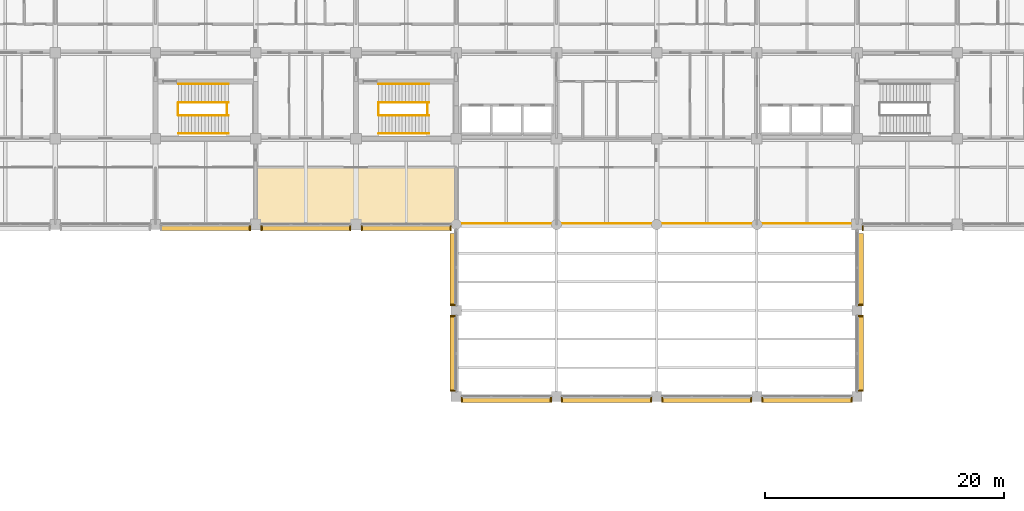
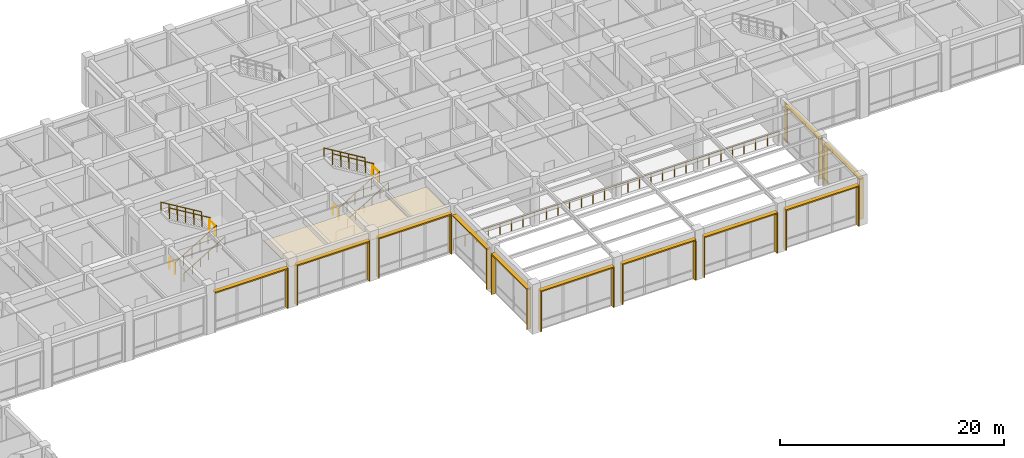
# One storey, part 53 of 58: 31 shading devices, 13 railings, 1 covering.
"""IFC4 building model written with IfcOpenShell, lengths in metres."""

from ifc_helpers import new_model, si_unit, direction, frame, origin, origin_2d, place, context, subcontext, project, spatial, polyline, rectangle, circle, outline, extrude, material, layer, layer_set, type_object, element, save


model = new_model("IFC4")

# Units and contexts
model_context = context("Model", 3, precision=1e-05, world=origin(), true_north=direction((0.0, 1.0)))
body_context = subcontext(model_context, "Body", "Model", "MODEL_VIEW")
ifc_project = project(units=[si_unit("LENGTHUNIT", "METRE"), si_unit("AREAUNIT", "SQUARE_METRE"), si_unit("VOLUMEUNIT", "CUBIC_METRE"), si_unit("PLANEANGLEUNIT", "RADIAN"), si_unit("MASSUNIT", "GRAM", prefix="KILO")], contexts=[model_context])

# Site, building, storey
site_placement = place(None, origin())
site = spatial("IfcSite", under=ifc_project, at=site_placement, CompositionType="ELEMENT")
building_placement = place(site_placement, origin())
building = spatial("IfcBuilding", under=site, at=building_placement, Name="Chengyuan Square Courthouse", CompositionType="ELEMENT")
storey_placement = place(building_placement, frame((0.0, 0.0, 16.199951171875)))
storey = spatial("IfcBuildingStorey", under=building, at=storey_placement, Name="L04", CompositionType="ELEMENT", Elevation=16.199951171875)

# Covering
ifc_material_1 = material(Name="Perforated Larch Glulam Acoustic Slat Ceiling", Category="wood")
ifc_layer = layer(ifc_material_1, 0.044921875)
ifc_layer_set = layer_set([ifc_layer], Name="Perforated Larch Glulam Acoustic Slat Ceiling")
covering_type = type_object("IfcCoveringType", Name="CLG-01", PredefinedType="CEILING", material=ifc_layer_set)
covering_placement = place(storey_placement, frame((0.0, 0.0, 4.02001953125)))
element("IfcCovering", 1, at=covering_placement, inside=storey, type_object=covering_type, Name="Acoustic Timber Slat Ceiling CLG-L04-CRT-405", PredefinedType="CEILING", context=body_context, shape_type="SweptSolid", body=[
    extrude(outline(polyline([(50.449951171875, 79.25), (67.14990234375, 79.25), (67.14990234375, 83.949951171875), (50.449951171875, 83.949951171875), (50.449951171875, 79.25)])), origin(), (0.0, 0.0, 1.0), 0.044921875),
])

# Railings
ifc_material_2 = material(Name="Tempered Glass and Timber Top-Rail Balustrade", Category="wood")
railing_type_1 = type_object("IfcRailingType", Name="RL-02", PredefinedType="BALUSTRADE", material=ifc_material_2)
for number, where, name in (
    (2, (60.68994140625, 88.39990234375, 0.0), "Stair Floor Slot Guard ST-3 L04"),
    (3, (64.7900390625, 88.39990234375, 2.699951171875), "Stair Landing Guard ST-3-L04"),
):
    element("IfcRailing", number, at=place(storey_placement, frame(where)), inside=storey, type_object=railing_type_1, Name=name, PredefinedType="BALUSTRADE", context=body_context, shape_type="SweptSolid", body=[
        extrude(circle(Radius=0.02392578125, at=origin_2d()), frame((0.0, 0.0, 1.17578125), z_axis=(0.0, 1.0, 0.0), x_axis=(-1.0, 0.0, 0.0)), (0.0, 0.0, 1.0), 1.0),
        extrude(circle(Radius=0.02099609375, at=origin_2d()), origin(), (0.0, 0.0, 1.0), 1.15185546875),
        extrude(circle(Radius=0.02099609375, at=origin_2d()), frame((0.0, 1.0, 0.0)), (0.0, 0.0, 1.0), 1.15185546875),
    ])
railing_1_placement = place(storey_placement, frame((60.7099609375, 88.35009765625, 0.168701171875)))
element("IfcRailing", 4, at=railing_1_placement, inside=storey, type_object=railing_type_1, Name="Stair Flight 1 Guard ST-3-L04", PredefinedType="BALUSTRADE", context=body_context, shape_type="SweptSolid", body=[
    extrude(circle(Radius=0.02392578125, at=origin_2d()), frame((0.0, 0.0, 1.17578125), z_axis=(0.856476492594, 0.0, 0.516186030065), x_axis=(0.0, 1.0, 0.0)), (0.0, 0.0, 1.0), 4.90380859375),
    extrude(circle(Radius=0.02099609375, at=origin_2d()), origin(), (0.0, 0.0, 1.0), 1.15185546875),
    extrude(circle(Radius=0.02099609375, at=origin_2d()), frame((0.840087890625, 0.0, 0.50634765625)), (0.0, 0.0, 1.0), 1.15185546875),
    extrude(circle(Radius=0.02099609375, at=origin_2d()), frame((1.679931640625, 0.0, 1.012451171875)), (0.0, 0.0, 1.0), 1.15185546875),
    extrude(circle(Radius=0.02099609375, at=origin_2d()), frame((2.52001953125, 0.0, 1.518798828125)), (0.0, 0.0, 1.0), 1.15185546875),
    extrude(circle(Radius=0.02099609375, at=origin_2d()), frame((3.35986328125, 0.0, 2.02490234375)), (0.0, 0.0, 1.0), 1.15185546875),
    extrude(circle(Radius=0.02099609375, at=origin_2d()), frame((4.199951171875, 0.0, 2.53125)), (0.0, 0.0, 1.0), 1.15185546875),
])
railing_2_placement = place(storey_placement, frame((64.909912109375, 89.449951171875, 2.86865234375)))
element("IfcRailing", 5, at=railing_2_placement, inside=storey, type_object=railing_type_1, Name="Stair Flight 2 Guard ST-3-L04", PredefinedType="BALUSTRADE", context=body_context, shape_type="SweptSolid", body=[
    extrude(circle(Radius=0.02392578125, at=origin_2d()), frame((0.0, 0.0, 1.17578125), z_axis=(-0.856454481726, 0.0, 0.516222549615), x_axis=(0.0, -1.0, 0.0)), (0.0, 0.0, 1.0), 4.90380859375),
    extrude(circle(Radius=0.02099609375, at=origin_2d()), origin(), (0.0, 0.0, 1.0), 1.15185546875),
    extrude(circle(Radius=0.02099609375, at=origin_2d()), frame((-0.840087890625, 0.0, 0.50634765625)), (0.0, 0.0, 1.0), 1.15185546875),
    extrude(circle(Radius=0.02099609375, at=origin_2d()), frame((-1.679931640625, 0.0, 1.0126953125)), (0.0, 0.0, 1.0), 1.15185546875),
    extrude(circle(Radius=0.02099609375, at=origin_2d()), frame((-2.52001953125, 0.0, 1.518798828125)), (0.0, 0.0, 1.0), 1.15185546875),
    extrude(circle(Radius=0.02099609375, at=origin_2d()), frame((-3.35986328125, 0.0, 2.025146484375)), (0.0, 0.0, 1.0), 1.15185546875),
    extrude(circle(Radius=0.02099609375, at=origin_2d()), frame((-4.199951171875, 0.0, 2.531494140625)), (0.0, 0.0, 1.0), 1.15185546875),
])
for number, where, name in (
    (6, (43.889892578125, 88.39990234375, 0.0), "Stair Floor Slot Guard ST-5 L04"),
    (7, (47.989990234375, 88.39990234375, 2.699951171875), "Stair Landing Guard ST-5-L04"),
):
    element("IfcRailing", number, at=place(storey_placement, frame(where)), inside=storey, type_object=railing_type_1, Name=name, PredefinedType="BALUSTRADE", context=body_context, shape_type="SweptSolid", body=[
        extrude(circle(Radius=0.02392578125, at=origin_2d()), frame((0.0, 0.0, 1.17578125), z_axis=(0.0, 1.0, 0.0), x_axis=(-1.0, 0.0, 0.0)), (0.0, 0.0, 1.0), 1.0),
        extrude(circle(Radius=0.02099609375, at=origin_2d()), origin(), (0.0, 0.0, 1.0), 1.15185546875),
        extrude(circle(Radius=0.02099609375, at=origin_2d()), frame((0.0, 1.0, 0.0)), (0.0, 0.0, 1.0), 1.15185546875),
    ])
railing_3_placement = place(storey_placement, frame((43.909912109375, 88.35009765625, 0.168701171875)))
element("IfcRailing", 8, at=railing_3_placement, inside=storey, type_object=railing_type_1, Name="Stair Flight 1 Guard ST-5-L04", PredefinedType="BALUSTRADE", context=body_context, shape_type="SweptSolid", body=[
    extrude(circle(Radius=0.02392578125, at=origin_2d()), frame((0.0, 0.0, 1.17578125), z_axis=(0.856489757249, 0.0, 0.516164020179), x_axis=(0.0, 1.0, 0.0)), (0.0, 0.0, 1.0), 4.904052734375),
    extrude(circle(Radius=0.02099609375, at=origin_2d()), origin(), (0.0, 0.0, 1.0), 1.15185546875),
    extrude(circle(Radius=0.02099609375, at=origin_2d()), frame((0.840087890625, 0.0, 0.50634765625)), (0.0, 0.0, 1.0), 1.15185546875),
    extrude(circle(Radius=0.02099609375, at=origin_2d()), frame((1.68017578125, 0.0, 1.012451171875)), (0.0, 0.0, 1.0), 1.15185546875),
    extrude(circle(Radius=0.02099609375, at=origin_2d()), frame((2.52001953125, 0.0, 1.518798828125)), (0.0, 0.0, 1.0), 1.15185546875),
    extrude(circle(Radius=0.02099609375, at=origin_2d()), frame((3.360107421875, 0.0, 2.02490234375)), (0.0, 0.0, 1.0), 1.15185546875),
    extrude(circle(Radius=0.02099609375, at=origin_2d()), frame((4.2001953125, 0.0, 2.53125)), (0.0, 0.0, 1.0), 1.15185546875),
])
railing_4_placement = place(storey_placement, frame((48.110107421875, 89.449951171875, 2.86865234375)))
element("IfcRailing", 9, at=railing_4_placement, inside=storey, type_object=railing_type_1, Name="Stair Flight 2 Guard ST-5-L04", PredefinedType="BALUSTRADE", context=body_context, shape_type="SweptSolid", body=[
    extrude(circle(Radius=0.02392578125, at=origin_2d()), frame((0.0, 0.0, 1.17578125), z_axis=(-0.856467747918, 0.0, 0.516200539303), x_axis=(0.0, -1.0, 0.0)), (0.0, 0.0, 1.0), 4.904052734375),
    extrude(circle(Radius=0.02099609375, at=origin_2d()), origin(), (0.0, 0.0, 1.0), 1.15185546875),
    extrude(circle(Radius=0.02099609375, at=origin_2d()), frame((-0.840087890625, 0.0, 0.50634765625)), (0.0, 0.0, 1.0), 1.15185546875),
    extrude(circle(Radius=0.02099609375, at=origin_2d()), frame((-1.68017578125, 0.0, 1.0126953125)), (0.0, 0.0, 1.0), 1.15185546875),
    extrude(circle(Radius=0.02099609375, at=origin_2d()), frame((-2.52001953125, 0.0, 1.518798828125)), (0.0, 0.0, 1.0), 1.15185546875),
    extrude(circle(Radius=0.02099609375, at=origin_2d()), frame((-3.360107421875, 0.0, 2.025146484375)), (0.0, 0.0, 1.0), 1.15185546875),
    extrude(circle(Radius=0.02099609375, at=origin_2d()), frame((-4.2001953125, 0.0, 2.531494140625)), (0.0, 0.0, 1.0), 1.15185546875),
])
railing_5_placement = place(storey_placement, frame((67.25, 79.280029296875, 0.0)))
element("IfcRailing", 10, at=railing_5_placement, inside=storey, type_object=railing_type_1, Name="Wintergarden Atrium Overlook Balustrade L04", PredefinedType="BALUSTRADE", context=body_context, shape_type="SweptSolid", body=[
    extrude(circle(Radius=0.02392578125, at=origin_2d()), frame((0.0, 0.0, 1.17578125), z_axis=(1.0, 0.0, 0.0), x_axis=(0.0, 1.0, 0.0)), (0.0, 0.0, 1.0), 33.5),
    extrude(circle(Radius=0.02099609375, at=origin_2d()), origin(), (0.0, 0.0, 1.0), 1.15185546875),
    extrude(circle(Radius=0.02099609375, at=origin_2d()), frame((1.196533203125, 0.0, 0.0)), (0.0, 0.0, 1.0), 1.15185546875),
    extrude(circle(Radius=0.02099609375, at=origin_2d()), frame((2.392822265625, 0.0, 0.0)), (0.0, 0.0, 1.0), 1.15185546875),
    extrude(circle(Radius=0.02099609375, at=origin_2d()), frame((3.58935546875, 0.0, 0.0)), (0.0, 0.0, 1.0), 1.15185546875),
    extrude(circle(Radius=0.02099609375, at=origin_2d()), frame((4.78564453125, 0.0, 0.0)), (0.0, 0.0, 1.0), 1.15185546875),
    extrude(circle(Radius=0.02099609375, at=origin_2d()), frame((5.982177734375, 0.0, 0.0)), (0.0, 0.0, 1.0), 1.15185546875),
    extrude(circle(Radius=0.02099609375, at=origin_2d()), frame((7.178466796875, 0.0, 0.0)), (0.0, 0.0, 1.0), 1.15185546875),
    extrude(circle(Radius=0.02099609375, at=origin_2d()), frame((8.375, 0.0, 0.0)), (0.0, 0.0, 1.0), 1.15185546875),
    extrude(circle(Radius=0.02099609375, at=origin_2d()), frame((9.571533203125, 0.0, 0.0)), (0.0, 0.0, 1.0), 1.15185546875),
    extrude(circle(Radius=0.02099609375, at=origin_2d()), frame((10.767822265625, 0.0, 0.0)), (0.0, 0.0, 1.0), 1.15185546875),
    extrude(circle(Radius=0.02099609375, at=origin_2d()), frame((11.96435546875, 0.0, 0.0)), (0.0, 0.0, 1.0), 1.15185546875),
    extrude(circle(Radius=0.02099609375, at=origin_2d()), frame((13.16064453125, 0.0, 0.0)), (0.0, 0.0, 1.0), 1.15185546875),
    extrude(circle(Radius=0.02099609375, at=origin_2d()), frame((14.357177734375, 0.0, 0.0)), (0.0, 0.0, 1.0), 1.15185546875),
    extrude(circle(Radius=0.02099609375, at=origin_2d()), frame((15.553466796875, 0.0, 0.0)), (0.0, 0.0, 1.0), 1.15185546875),
    extrude(circle(Radius=0.02099609375, at=origin_2d()), frame((16.75, 0.0, 0.0)), (0.0, 0.0, 1.0), 1.15185546875),
    extrude(circle(Radius=0.02099609375, at=origin_2d()), frame((17.946533203125, 0.0, 0.0)), (0.0, 0.0, 1.0), 1.15185546875),
    extrude(circle(Radius=0.02099609375, at=origin_2d()), frame((19.142822265625, 0.0, 0.0)), (0.0, 0.0, 1.0), 1.15185546875),
    extrude(circle(Radius=0.02099609375, at=origin_2d()), frame((20.33935546875, 0.0, 0.0)), (0.0, 0.0, 1.0), 1.15185546875),
    extrude(circle(Radius=0.02099609375, at=origin_2d()), frame((21.53564453125, 0.0, 0.0)), (0.0, 0.0, 1.0), 1.15185546875),
    extrude(circle(Radius=0.02099609375, at=origin_2d()), frame((22.732177734375, 0.0, 0.0)), (0.0, 0.0, 1.0), 1.15185546875),
    extrude(circle(Radius=0.02099609375, at=origin_2d()), frame((23.928466796875, 0.0, 0.0)), (0.0, 0.0, 1.0), 1.15185546875),
    extrude(circle(Radius=0.02099609375, at=origin_2d()), frame((25.125, 0.0, 0.0)), (0.0, 0.0, 1.0), 1.15185546875),
    extrude(circle(Radius=0.02099609375, at=origin_2d()), frame((26.321533203125, 0.0, 0.0)), (0.0, 0.0, 1.0), 1.15185546875),
    extrude(circle(Radius=0.02099609375, at=origin_2d()), frame((27.517822265625, 0.0, 0.0)), (0.0, 0.0, 1.0), 1.15185546875),
    extrude(circle(Radius=0.02099609375, at=origin_2d()), frame((28.71435546875, 0.0, 0.0)), (0.0, 0.0, 1.0), 1.15185546875),
    extrude(circle(Radius=0.02099609375, at=origin_2d()), frame((29.91064453125, 0.0, 0.0)), (0.0, 0.0, 1.0), 1.15185546875),
    extrude(circle(Radius=0.02099609375, at=origin_2d()), frame((31.107177734375, 0.0, 0.0)), (0.0, 0.0, 1.0), 1.15185546875),
    extrude(circle(Radius=0.02099609375, at=origin_2d()), frame((32.303466796875, 0.0, 0.0)), (0.0, 0.0, 1.0), 1.15185546875),
    extrude(circle(Radius=0.02099609375, at=origin_2d()), frame((33.5, 0.0, 0.0)), (0.0, 0.0, 1.0), 1.15185546875),
])
ifc_material_3 = material(Name="Stainless Steel S30408 Stair Handrail", Category="steel")
railing_type_2 = type_object("IfcRailingType", Name="RL-04", PredefinedType="HANDRAIL", material=ifc_material_3)
railing_6_placement = place(storey_placement, frame((60.7099609375, 86.820068359375, 0.168701171875)))
element("IfcRailing", 11, at=railing_6_placement, inside=storey, type_object=railing_type_2, Name="Stair Flight 1 Handrail ST-3-L04", PredefinedType="HANDRAIL", context=body_context, shape_type="SweptSolid", body=[
    extrude(circle(Radius=0.02392578125, at=origin_2d()), frame((0.0, 0.0, 0.8759765625), z_axis=(0.856476492594, 0.0, 0.516186030065), x_axis=(0.0, 1.0, 0.0)), (0.0, 0.0, 1.0), 4.90380859375),
    extrude(circle(Radius=0.02099609375, at=origin_2d()), origin(), (0.0, 0.0, 1.0), 0.851806640625),
    extrude(circle(Radius=0.02099609375, at=origin_2d()), frame((0.840087890625, 0.0, 0.50634765625)), (0.0, 0.0, 1.0), 0.851806640625),
    extrude(circle(Radius=0.02099609375, at=origin_2d()), frame((1.679931640625, 0.0, 1.012451171875)), (0.0, 0.0, 1.0), 0.851806640625),
    extrude(circle(Radius=0.02099609375, at=origin_2d()), frame((2.52001953125, 0.0, 1.518798828125)), (0.0, 0.0, 1.0), 0.851806640625),
    extrude(circle(Radius=0.02099609375, at=origin_2d()), frame((3.35986328125, 0.0, 2.02490234375)), (0.0, 0.0, 1.0), 0.851806640625),
    extrude(circle(Radius=0.02099609375, at=origin_2d()), frame((4.199951171875, 0.0, 2.53125)), (0.0, 0.0, 1.0), 0.851806640625),
])
railing_7_placement = place(storey_placement, frame((64.909912109375, 90.97998046875, 2.86865234375)))
element("IfcRailing", 12, at=railing_7_placement, inside=storey, type_object=railing_type_2, Name="Stair Flight 2 Handrail ST-3-L04", PredefinedType="HANDRAIL", context=body_context, shape_type="SweptSolid", body=[
    extrude(circle(Radius=0.02392578125, at=origin_2d()), frame((0.0, 0.0, 0.8759765625), z_axis=(-0.856454481726, 0.0, 0.516222549615), x_axis=(0.0, -1.0, 0.0)), (0.0, 0.0, 1.0), 4.90380859375),
    extrude(circle(Radius=0.02099609375, at=origin_2d()), origin(), (0.0, 0.0, 1.0), 0.851806640625),
    extrude(circle(Radius=0.02099609375, at=origin_2d()), frame((-0.840087890625, 0.0, 0.50634765625)), (0.0, 0.0, 1.0), 0.851806640625),
    extrude(circle(Radius=0.02099609375, at=origin_2d()), frame((-1.679931640625, 0.0, 1.0126953125)), (0.0, 0.0, 1.0), 0.851806640625),
    extrude(circle(Radius=0.02099609375, at=origin_2d()), frame((-2.52001953125, 0.0, 1.518798828125)), (0.0, 0.0, 1.0), 0.851806640625),
    extrude(circle(Radius=0.02099609375, at=origin_2d()), frame((-3.35986328125, 0.0, 2.025146484375)), (0.0, 0.0, 1.0), 0.851806640625),
    extrude(circle(Radius=0.02099609375, at=origin_2d()), frame((-4.199951171875, 0.0, 2.531494140625)), (0.0, 0.0, 1.0), 0.851806640625),
])
railing_8_placement = place(storey_placement, frame((43.909912109375, 86.820068359375, 0.168701171875)))
element("IfcRailing", 13, at=railing_8_placement, inside=storey, type_object=railing_type_2, Name="Stair Flight 1 Handrail ST-5-L04", PredefinedType="HANDRAIL", context=body_context, shape_type="SweptSolid", body=[
    extrude(circle(Radius=0.02392578125, at=origin_2d()), frame((0.0, 0.0, 0.8759765625), z_axis=(0.856489757249, 0.0, 0.516164020179), x_axis=(0.0, 1.0, 0.0)), (0.0, 0.0, 1.0), 4.904052734375),
    extrude(circle(Radius=0.02099609375, at=origin_2d()), origin(), (0.0, 0.0, 1.0), 0.851806640625),
    extrude(circle(Radius=0.02099609375, at=origin_2d()), frame((0.840087890625, 0.0, 0.50634765625)), (0.0, 0.0, 1.0), 0.851806640625),
    extrude(circle(Radius=0.02099609375, at=origin_2d()), frame((1.68017578125, 0.0, 1.012451171875)), (0.0, 0.0, 1.0), 0.851806640625),
    extrude(circle(Radius=0.02099609375, at=origin_2d()), frame((2.52001953125, 0.0, 1.518798828125)), (0.0, 0.0, 1.0), 0.851806640625),
    extrude(circle(Radius=0.02099609375, at=origin_2d()), frame((3.360107421875, 0.0, 2.02490234375)), (0.0, 0.0, 1.0), 0.851806640625),
    extrude(circle(Radius=0.02099609375, at=origin_2d()), frame((4.2001953125, 0.0, 2.53125)), (0.0, 0.0, 1.0), 0.851806640625),
])
railing_9_placement = place(storey_placement, frame((48.110107421875, 90.97998046875, 2.86865234375)))
element("IfcRailing", 14, at=railing_9_placement, inside=storey, type_object=railing_type_2, Name="Stair Flight 2 Handrail ST-5-L04", PredefinedType="HANDRAIL", context=body_context, shape_type="SweptSolid", body=[
    extrude(circle(Radius=0.02392578125, at=origin_2d()), frame((0.0, 0.0, 0.8759765625), z_axis=(-0.856467747918, 0.0, 0.516200539303), x_axis=(0.0, -1.0, 0.0)), (0.0, 0.0, 1.0), 4.904052734375),
    extrude(circle(Radius=0.02099609375, at=origin_2d()), origin(), (0.0, 0.0, 1.0), 0.851806640625),
    extrude(circle(Radius=0.02099609375, at=origin_2d()), frame((-0.840087890625, 0.0, 0.50634765625)), (0.0, 0.0, 1.0), 0.851806640625),
    extrude(circle(Radius=0.02099609375, at=origin_2d()), frame((-1.68017578125, 0.0, 1.0126953125)), (0.0, 0.0, 1.0), 0.851806640625),
    extrude(circle(Radius=0.02099609375, at=origin_2d()), frame((-2.52001953125, 0.0, 1.518798828125)), (0.0, 0.0, 1.0), 0.851806640625),
    extrude(circle(Radius=0.02099609375, at=origin_2d()), frame((-3.360107421875, 0.0, 2.025146484375)), (0.0, 0.0, 1.0), 0.851806640625),
    extrude(circle(Radius=0.02099609375, at=origin_2d()), frame((-4.2001953125, 0.0, 2.531494140625)), (0.0, 0.0, 1.0), 0.851806640625),
])

# Shading devices
ifc_material_4 = material(Name="Glulam TCt28 Solar Shading Fin", Category="wood")
shading_device_type_1 = type_object("IfcShadingDeviceType", Name="SHD-01", PredefinedType="JALOUSIE", material=ifc_material_4)
for number, where, z_axis, x_axis, name in (
    (15, (49.91748046875, 78.907958984375, 0.0400390625), (0.0, 0.0, 1.0), (0.0, 1.0, 0.0), "Glulam Solar Fin SHD-L04-0445"),
    (16, (50.882568359375, 78.907958984375, 0.0400390625), (0.0, 0.0, 1.0), (0.0, 1.0, 0.0), "Glulam Solar Fin SHD-L04-0447"),
    (17, (58.3173828125, 78.907958984375, 0.0400390625), (0.0, 0.0, 1.0), (0.0, 1.0, 0.0), "Glulam Solar Fin SHD-L04-0448"),
    (18, (59.282470703125, 78.907958984375, 0.0400390625), (0.0, 0.0, 1.0), (0.0, 1.0, 0.0), "Glulam Solar Fin SHD-L04-0451"),
    (19, (66.742431640625, 78.907958984375, 0.0400390625), (0.0, 0.0, 1.0), (0.0, 1.0, 0.0), "Glulam Solar Fin SHD-L04-0452"),
):
    element("IfcShadingDevice", number, at=place(storey_placement, frame(where, z_axis=z_axis, x_axis=x_axis)), inside=storey, type_object=shading_device_type_1, Name=name, PredefinedType="JALOUSIE", context=body_context, shape_type="SweptSolid", body=[
        extrude(rectangle(XDim=0.419921875, YDim=0.094970703125, at=origin_2d()), origin(), (0.0, 0.0, 1.0), 4.260009765625),
    ])
for number, where, z_axis, x_axis, name in (
    (20, (67.657470703125, 64.508056640625, 0.0400390625), (0.0, 0.0, 1.0), (0.0, 1.0, 0.0), "Glulam Solar Fin SHD-L04-0454"),
    (21, (75.142578125, 64.508056640625, 0.0400390625), (0.0, 0.0, 1.0), (0.0, 1.0, 0.0), "Glulam Solar Fin SHD-L04-0455"),
    (22, (66.89794921875, 65.260009765625, 0.0400390625), (0.0, 0.0, 1.0), (1.0, 0.0, 0.0), "Glulam Solar Fin SHD-L04-0457"),
    (23, (66.89794921875, 71.5400390625, 0.0400390625), (0.0, 0.0, 1.0), (1.0, 0.0, 0.0), "Glulam Solar Fin SHD-L04-0458"),
    (24, (66.89794921875, 72.4599609375, 0.0400390625), (0.0, 0.0, 1.0), (1.0, 0.0, 0.0), "Glulam Solar Fin SHD-L04-0460"),
    (25, (76.0576171875, 64.508056640625, 0.0400390625), (0.0, 0.0, 1.0), (0.0, 1.0, 0.0), "Glulam Solar Fin SHD-L04-0462"),
    (26, (83.54248046875, 64.508056640625, 0.0400390625), (0.0, 0.0, 1.0), (0.0, 1.0, 0.0), "Glulam Solar Fin SHD-L04-0463"),
    (27, (84.45751953125, 64.508056640625, 0.0400390625), (0.0, 0.0, 1.0), (0.0, 1.0, 0.0), "Glulam Solar Fin SHD-L04-0465"),
    (28, (91.9423828125, 64.508056640625, 0.0400390625), (0.0, 0.0, 1.0), (0.0, 1.0, 0.0), "Glulam Solar Fin SHD-L04-0466"),
    (29, (92.857421875, 64.508056640625, 0.0400390625), (0.0, 0.0, 1.0), (0.0, 1.0, 0.0), "Glulam Solar Fin SHD-L04-0468"),
    (30, (100.342529296875, 64.508056640625, 0.0400390625), (0.0, 0.0, 1.0), (0.0, 1.0, 0.0), "Glulam Solar Fin SHD-L04-0469"),
    (31, (101.10205078125, 65.260009765625, 0.0400390625), (0.0, 0.0, 1.0), (1.0, 0.0, 0.0), "Glulam Solar Fin SHD-L04-0471"),
    (32, (101.10205078125, 71.5400390625, 0.0400390625), (0.0, 0.0, 1.0), (1.0, 0.0, 0.0), "Glulam Solar Fin SHD-L04-0472"),
    (33, (101.10205078125, 72.4599609375, 0.0400390625), (0.0, 0.0, 1.0), (1.0, 0.0, 0.0), "Glulam Solar Fin SHD-L04-0474"),
):
    element("IfcShadingDevice", number, at=place(storey_placement, frame(where, z_axis=z_axis, x_axis=x_axis)), inside=storey, type_object=shading_device_type_1, Name=name, PredefinedType="JALOUSIE", context=body_context, shape_type="SweptSolid", body=[
        extrude(rectangle(XDim=0.419921875, YDim=0.094970703125, at=origin_2d()), origin(), (0.0, 0.0, 1.0), 4.320068359375),
    ])
shading_device_1_placement = place(storey_placement, frame((101.282470703125, 78.907958984375, 0.0400390625), z_axis=(0.0, 0.0, 1.0), x_axis=(0.0, 1.0, 0.0)))
element("IfcShadingDevice", 34, at=shading_device_1_placement, inside=storey, type_object=shading_device_type_1, Name="Glulam Solar Fin SHD-L04-0476", PredefinedType="JALOUSIE", context=body_context, shape_type="SweptSolid", body=[
    extrude(rectangle(XDim=0.419921875, YDim=0.094970703125, at=origin_2d()), origin(), (0.0, 0.0, 1.0), 4.260009765625),
])
ifc_material_5 = material(Name="Glulam TCt28 Sunshade Louvre", Category="wood")
shading_device_type_2 = type_object("IfcShadingDeviceType", Name="SHD-02", PredefinedType="AWNING", material=ifc_material_5)
shading_device_2_placement = place(storey_placement, frame((46.1875, 78.907958984375, 4.30029296875), z_axis=(0.0, 0.0, 1.0), x_axis=(1.0, 0.0, 0.0)))
element("IfcShadingDevice", 35, at=shading_device_2_placement, inside=storey, type_object=shading_device_type_2, Name="Glulam Sunshade Louvre SHD-L04-0446", PredefinedType="AWNING", context=body_context, shape_type="SweptSolid", body=[
    extrude(rectangle(XDim=7.52490234375, YDim=0.43994140625, at=origin_2d()), origin(), (0.0, 0.0, 1.0), 0.139892578125),
])
shading_device_3_placement = place(storey_placement, frame((54.60009765625, 78.907958984375, 4.30029296875), z_axis=(0.0, 0.0, 1.0), x_axis=(1.0, 0.0, 0.0)))
element("IfcShadingDevice", 36, at=shading_device_3_placement, inside=storey, type_object=shading_device_type_2, Name="Glulam Sunshade Louvre SHD-L04-0449", PredefinedType="AWNING", context=body_context, shape_type="SweptSolid", body=[
    extrude(rectangle(XDim=7.5, YDim=0.43994140625, at=origin_2d()), origin(), (0.0, 0.0, 1.0), 0.139892578125),
])
shading_device_4_placement = place(storey_placement, frame((63.012451171875, 78.907958984375, 4.30029296875), z_axis=(0.0, 0.0, 1.0), x_axis=(1.0, 0.0, 0.0)))
element("IfcShadingDevice", 37, at=shading_device_4_placement, inside=storey, type_object=shading_device_type_2, Name="Glulam Sunshade Louvre SHD-L04-0453", PredefinedType="AWNING", context=body_context, shape_type="SweptSolid", body=[
    extrude(rectangle(XDim=7.52490234375, YDim=0.43994140625, at=origin_2d()), origin(), (0.0, 0.0, 1.0), 0.139892578125),
])
shading_device_5_placement = place(storey_placement, frame((71.39990234375, 64.508056640625, 4.35986328125), z_axis=(0.0, 0.0, 1.0), x_axis=(1.0, 0.0, 0.0)))
element("IfcShadingDevice", 38, at=shading_device_5_placement, inside=storey, type_object=shading_device_type_2, Name="Glulam Sunshade Louvre SHD-L04-0456", PredefinedType="AWNING", context=body_context, shape_type="SweptSolid", body=[
    extrude(rectangle(XDim=7.550048828125, YDim=0.43994140625, at=origin_2d()), origin(), (0.0, 0.0, 1.0), 0.139892578125),
])
shading_device_6_placement = place(storey_placement, frame((66.89794921875, 68.39990234375, 4.35986328125), z_axis=(0.0, 0.0, 1.0), x_axis=(0.0, 1.0, 0.0)))
element("IfcShadingDevice", 39, at=shading_device_6_placement, inside=storey, type_object=shading_device_type_2, Name="Glulam Sunshade Louvre SHD-L04-0459", PredefinedType="AWNING", context=body_context, shape_type="SweptSolid", body=[
    extrude(rectangle(XDim=6.35009765625, YDim=0.43994140625, at=origin_2d()), origin(), (0.0, 0.0, 1.0), 0.139892578125),
])
shading_device_7_placement = place(storey_placement, frame((66.89794921875, 75.449951171875, 4.35986328125), z_axis=(0.0, 0.0, 1.0), x_axis=(0.0, 1.0, 0.0)))
element("IfcShadingDevice", 40, at=shading_device_7_placement, inside=storey, type_object=shading_device_type_2, Name="Glulam Sunshade Louvre SHD-L04-0461", PredefinedType="AWNING", context=body_context, shape_type="SweptSolid", body=[
    extrude(rectangle(XDim=6.050048828125, YDim=0.43994140625, at=origin_2d()), origin(), (0.0, 0.0, 1.0), 0.139892578125),
])
for number, where, z_axis, x_axis, name in (
    (41, (79.800048828125, 64.508056640625, 4.35986328125), (0.0, 0.0, 1.0), (1.0, 0.0, 0.0), "Glulam Sunshade Louvre SHD-L04-0464"),
    (42, (88.199951171875, 64.508056640625, 4.35986328125), (0.0, 0.0, 1.0), (1.0, 0.0, 0.0), "Glulam Sunshade Louvre SHD-L04-0467"),
    (43, (96.60009765625, 64.508056640625, 4.35986328125), (0.0, 0.0, 1.0), (1.0, 0.0, 0.0), "Glulam Sunshade Louvre SHD-L04-0470"),
):
    element("IfcShadingDevice", number, at=place(storey_placement, frame(where, z_axis=z_axis, x_axis=x_axis)), inside=storey, type_object=shading_device_type_2, Name=name, PredefinedType="AWNING", context=body_context, shape_type="SweptSolid", body=[
        extrude(rectangle(XDim=7.550048828125, YDim=0.43994140625, at=origin_2d()), origin(), (0.0, 0.0, 1.0), 0.139892578125),
    ])
shading_device_8_placement = place(storey_placement, frame((101.10205078125, 68.39990234375, 4.35986328125), z_axis=(0.0, 0.0, 1.0), x_axis=(0.0, 1.0, 0.0)))
element("IfcShadingDevice", 44, at=shading_device_8_placement, inside=storey, type_object=shading_device_type_2, Name="Glulam Sunshade Louvre SHD-L04-0473", PredefinedType="AWNING", context=body_context, shape_type="SweptSolid", body=[
    extrude(rectangle(XDim=6.35009765625, YDim=0.43994140625, at=origin_2d()), origin(), (0.0, 0.0, 1.0), 0.139892578125),
])
shading_device_9_placement = place(storey_placement, frame((101.10205078125, 75.4375, 4.35986328125), z_axis=(0.0, 0.0, 1.0), x_axis=(0.0, 1.0, 0.0)))
element("IfcShadingDevice", 45, at=shading_device_9_placement, inside=storey, type_object=shading_device_type_2, Name="Glulam Sunshade Louvre SHD-L04-0475", PredefinedType="AWNING", context=body_context, shape_type="SweptSolid", body=[
    extrude(rectangle(XDim=6.02490234375, YDim=0.43994140625, at=origin_2d()), origin(), (0.0, 0.0, 1.0), 0.139892578125),
])

save(model, "model.ifc")
